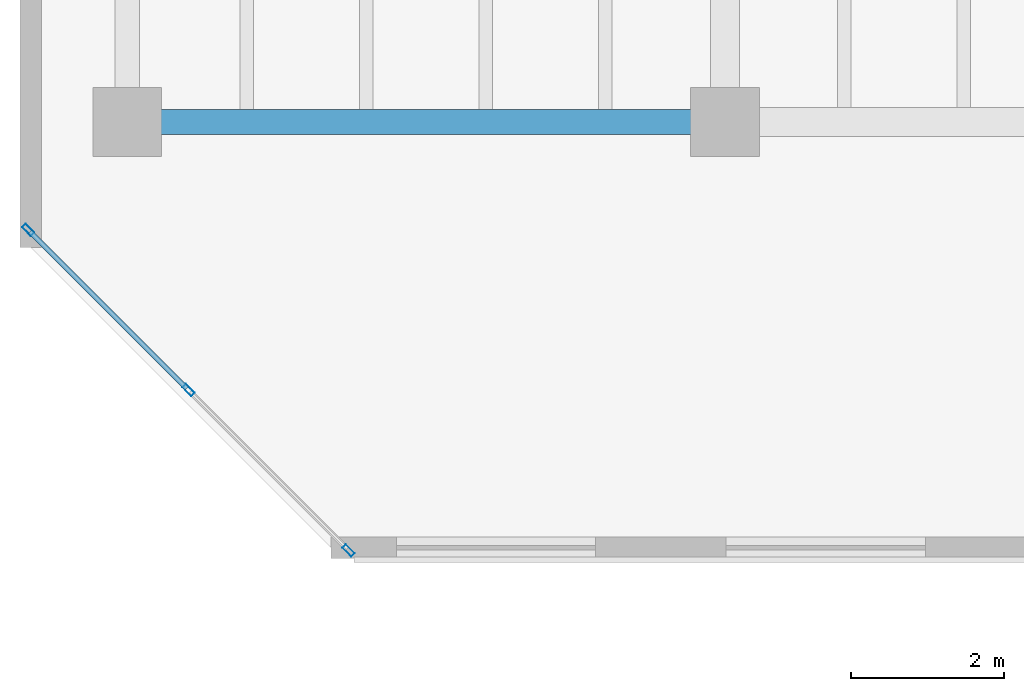
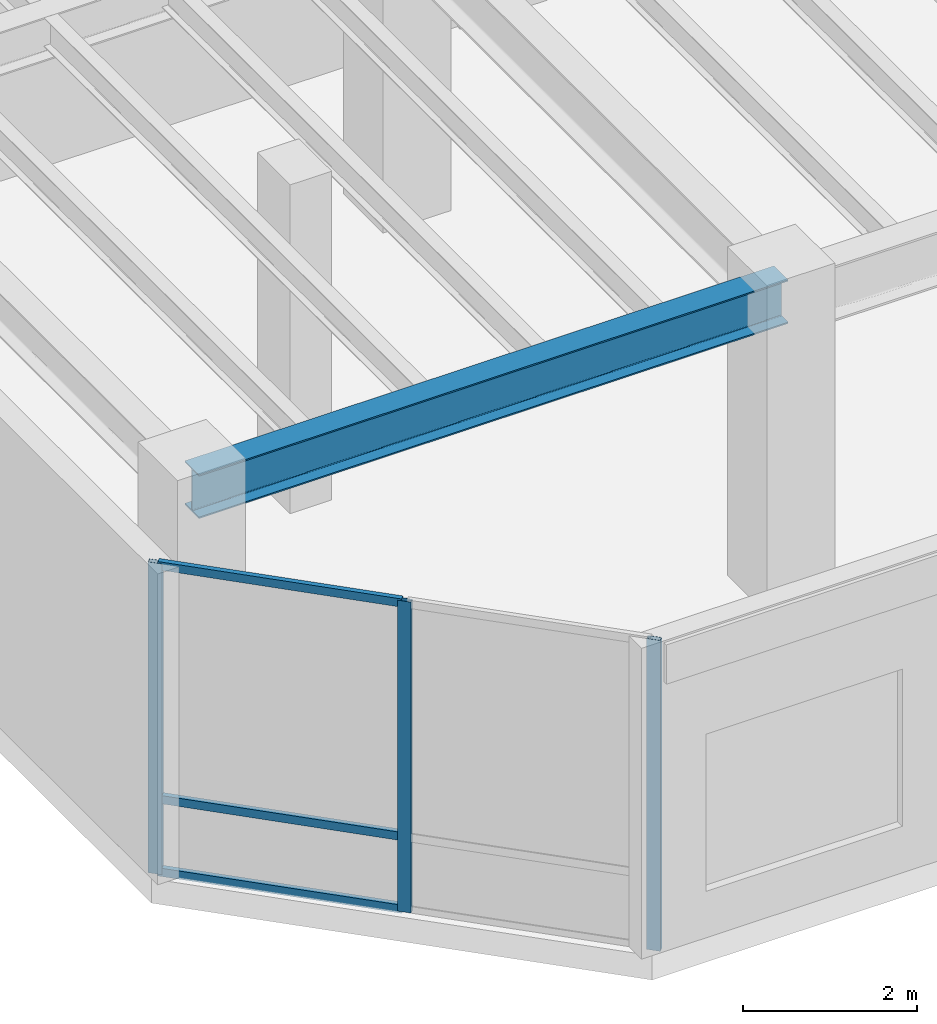
# One storey, part 2 of 20: 6 members, 1 beam, 1 element without a shape of its own.
"""IFC4 building model written with IfcOpenShell, lengths in metres."""

import ifcopenshell
import ifcopenshell.guid

model = None  # the IFC model being written
_history = None  # IfcOwnerHistory: only IFC2X3 demands one
_inside = {}  # id of a spatial element -> (the spatial element, [elements in it])
_under = {}  # id of a project, library or spatial element -> (it, [spatial elements below it])
_declared = {}  # id of a project -> (the project, [libraries it declares])
_typed = {}  # id of a type object -> (the type object, [elements of that type])
_made_of = {}  # id of a material, layer set ... -> (it, [elements and type objects made of it])


def new_model(schema):
    """Start an empty IFC model of exactly this schema.

    Asked for "IFC4X3", IfcOpenShell would pick the latest addendum, in which some entities
    have other attributes; the version numbers below select the first issue.
    IFC2X3 requires an IfcOwnerHistory on every rooted entity: one is made here for all.
    """
    global model, _history
    if schema == "IFC4X3":
        model = ifcopenshell.file(schema_version=(4, 3, 0, 0))
    else:
        model = ifcopenshell.file(schema=schema)
    _inside.clear()
    _under.clear()
    _declared.clear()
    _typed.clear()
    _made_of.clear()
    _history = None
    if model.schema == "IFC2X3":
        org = make("IfcOrganization", Name="unknown")
        user = make(
            "IfcPersonAndOrganization",
            ThePerson=make("IfcPerson", FamilyName="unknown"),
            TheOrganization=org,
        )
        app = make(
            "IfcApplication",
            ApplicationDeveloper=org,
            Version="unknown",
            ApplicationFullName="unknown",
            ApplicationIdentifier="unknown",
        )
        _history = make(
            "IfcOwnerHistory",
            OwningUser=user,
            OwningApplication=app,
            ChangeAction="ADDED",
            CreationDate=0,
        )
    return model


def make(cls, **values):
    """One entity of the class cls with the attributes given. An attribute that is None is left unset."""
    return model.create_entity(
        cls, **{name: value for name, value in values.items() if value is not None}
    )


def rooted(cls, **values):
    """An entity with a GlobalId (a new one), such as an element, a storey or a relation."""
    return make(cls, GlobalId=ifcopenshell.guid.new(), OwnerHistory=_history, **values)


def si_unit(unit_type, name, prefix=None):
    """IfcSIUnit, for example si_unit("LENGTHUNIT", "METRE", prefix="MILLI")."""
    return make("IfcSIUnit", UnitType=unit_type, Prefix=prefix, Name=name)


def assignment(units):
    """IfcUnitAssignment: the units of a project."""
    return None if units is None else make("IfcUnitAssignment", Units=units)


def point(xyz):
    """IfcCartesianPoint."""
    return None if xyz is None else make("IfcCartesianPoint", Coordinates=xyz)


def direction(xyz):
    """IfcDirection."""
    return None if xyz is None else make("IfcDirection", DirectionRatios=xyz)


def frame(location, z_axis=None, x_axis=None):
    """IfcAxis2Placement3D, a coordinate frame: its origin and axes. An axis left out is left unset."""
    return make(
        "IfcAxis2Placement3D",
        Location=point(location),
        Axis=direction(z_axis),
        RefDirection=direction(x_axis),
    )


def frame_2d(location, x_axis=None):
    """IfcAxis2Placement2D, a coordinate frame in the plane: its origin and x axis."""
    return make(
        "IfcAxis2Placement2D", Location=point(location), RefDirection=direction(x_axis)
    )


def origin():
    """The frame at (0, 0, 0) with its axes left unset."""
    return frame((0.0, 0.0, 0.0))


def origin_2d():
    """The frame at (0, 0) in the plane with its x axis left unset."""
    return frame_2d((0.0, 0.0))


def place(relative_to, where):
    """IfcLocalPlacement: puts the frame where relative to a parent placement (None: the world)."""
    return make(
        "IfcLocalPlacement", PlacementRelTo=relative_to, RelativePlacement=where
    )


def context(
    kind, dimensions, precision=None, world=None, true_north=None, identifier=None
):
    """IfcGeometricRepresentationContext, for example the 3D "Model" context."""
    return make(
        "IfcGeometricRepresentationContext",
        ContextIdentifier=identifier,
        ContextType=kind,
        CoordinateSpaceDimension=dimensions,
        Precision=precision,
        WorldCoordinateSystem=world,
        TrueNorth=true_north,
    )


def subcontext(parent, identifier, kind, view, scale=None):
    """IfcGeometricRepresentationSubContext, for example "Body" below "Model"."""
    return make(
        "IfcGeometricRepresentationSubContext",
        ContextIdentifier=identifier,
        ContextType=kind,
        ParentContext=parent,
        TargetScale=scale,
        TargetView=view,
    )


def project(units=None, contexts=None):
    """IfcProject with its units and contexts."""
    return rooted(
        "IfcProject",
        Name="project",
        RepresentationContexts=contexts,
        UnitsInContext=assignment(units),
    )


def spatial(cls, under=None, at=None, **own):
    """A site, building, storey or space (cls), placed at a placement, below another one or the project."""
    s = rooted(cls, ObjectPlacement=at, **own)
    if under is not None:
        _under.setdefault(under.id(), (under, []))[1].append(s)
    return s


def profile(cls, at=None, kind="AREA", **sizes):
    """A parametric profile (cls). Its sizes go by their IFC names, for example OverallWidth=200.0."""
    return make(cls, ProfileType=kind, Position=at, **sizes)


def hollow_rectangle(**sizes):
    """IfcRectangleHollowProfileDef."""
    return profile("IfcRectangleHollowProfileDef", **sizes)


def i_section(**sizes):
    """IfcIShapeProfileDef."""
    return profile("IfcIShapeProfileDef", **sizes)


def extrude(swept, where, along, depth):
    """IfcExtrudedAreaSolid: the profile swept, set in the frame where, extruded along a direction by depth."""
    return make(
        "IfcExtrudedAreaSolid",
        SweptArea=swept,
        Position=where,
        ExtrudedDirection=direction(along),
        Depth=depth,
    )


def shape(context_of_items, identifier, shape_type, items):
    """IfcShapeRepresentation: the items that make up one representation, for example the "Body"."""
    return make(
        "IfcShapeRepresentation",
        ContextOfItems=context_of_items,
        RepresentationIdentifier=identifier,
        RepresentationType=shape_type,
        Items=items,
    )


def material(Name=None, Category=None):
    """IfcMaterial."""
    return make("IfcMaterial", Name=Name, Category=Category)


def layer(
    of_material, thickness, ventilated=None, Name=None, Category=None, Priority=None
):
    """IfcMaterialLayer: one layer of a wall or slab, of a material (None: an air gap)."""
    return make(
        "IfcMaterialLayer",
        Material=of_material,
        LayerThickness=thickness,
        IsVentilated=ventilated,
        Name=Name,
        Category=Category,
        Priority=Priority,
    )


def layer_set(layers, Name=None):
    """IfcMaterialLayerSet."""
    return make("IfcMaterialLayerSet", MaterialLayers=layers, LayerSetName=Name)


def material_profile(
    of_material, cross_section, Name=None, Category=None, Priority=None
):
    """IfcMaterialProfile: a cross section and its material."""
    return make(
        "IfcMaterialProfile",
        Name=Name,
        Material=of_material,
        Profile=cross_section,
        Priority=Priority,
        Category=Category,
    )


def profile_set(profiles, Name=None, composite=None):
    """IfcMaterialProfileSet."""
    return make(
        "IfcMaterialProfileSet",
        Name=Name,
        MaterialProfiles=profiles,
        CompositeProfile=composite,
    )


def made_of(thing, what):
    """Note that an element or type object is made of a material, layer set ...; save() writes the relation."""
    if what is not None:
        _made_of.setdefault(what.id(), (what, []))[1].append(thing)
    return thing


def type_object(cls, material=None, **own):
    """A type object (cls), such as IfcWallType, which elements share."""
    return made_of(rooted(cls, **own), material)


def element(
    cls,
    number,
    at=None,
    inside=None,
    cuts=None,
    type_object=None,
    material=None,
    context=None,
    identifier="Body",
    shape_type=None,
    held_by="IfcProductDefinitionShape",
    body=None,
    shapes=None,
    **own,
):
    """One element of the class cls, such as IfcWall. Its Tag is "e" and its number.

    at: its placement. inside: the storey or other place that contains it. cuts: it is an
    opening in that element (IfcRelVoidsElement). A single representation is given by context,
    identifier, shape_type and body (its items); several are given by shapes. held_by: the class
    of the entity that holds the representations. save() writes the other relations.
    """
    e = rooted(cls, Tag="e%d" % number, ObjectPlacement=at, **own)
    if body is not None:
        shapes = [shape(context, identifier, shape_type, body)]
    if shapes is not None:
        e.Representation = make(held_by, Representations=shapes)
    if inside is not None:
        _inside.setdefault(inside.id(), (inside, []))[1].append(e)
    if cuts is not None:
        rooted(
            "IfcRelVoidsElement", RelatingBuildingElement=cuts, RelatedOpeningElement=e
        )
    if type_object is not None:
        _typed.setdefault(type_object.id(), (type_object, []))[1].append(e)
    return made_of(e, material)


def aggregate(whole, parts):
    """IfcRelAggregates: a whole, such as a stair, and the parts it consists of."""
    return rooted("IfcRelAggregates", RelatingObject=whole, RelatedObjects=parts)


def save(model, path):
    """Write the relations noted so far, then the file.

    IfcRelAggregates (storeys below a building ...), IfcRelContainedInSpatialStructure (elements
    in a storey), IfcRelDefinesByType, IfcRelAssociatesMaterial and IfcRelDeclares: one each for
    every whole, place, type object, material and project.
    """
    for whole, parts in _under.values():
        aggregate(whole, parts)
    for where, things in _inside.values():
        rooted(
            "IfcRelContainedInSpatialStructure",
            RelatedElements=things,
            RelatingStructure=where,
        )
    for kind, things in _typed.values():
        rooted("IfcRelDefinesByType", RelatedObjects=things, RelatingType=kind)
    for what, things in _made_of.values():
        rooted("IfcRelAssociatesMaterial", RelatedObjects=things, RelatingMaterial=what)
    for by, libraries in _declared.values():
        rooted("IfcRelDeclares", RelatingContext=by, RelatedDefinitions=libraries)
    model.write(path)


model = new_model("IFC4")

# Units and contexts
model_context = context("Model", 3, precision=1e-05, world=origin(), true_north=direction((0.0, 1.0)))
body_context = subcontext(model_context, "Body", "Model", "MODEL_VIEW")
ifc_project = project(units=[si_unit("LENGTHUNIT", "METRE"), si_unit("AREAUNIT", "SQUARE_METRE"), si_unit("VOLUMEUNIT", "CUBIC_METRE"), si_unit("PLANEANGLEUNIT", "RADIAN"), si_unit("MASSUNIT", "GRAM", prefix="KILO")], contexts=[model_context])

# Site, building, storey
site_placement = place(None, origin())
site = spatial("IfcSite", under=ifc_project, at=site_placement, CompositionType="ELEMENT")
building_placement = place(site_placement, origin())
building = spatial("IfcBuilding", under=site, at=building_placement, Name="Kestravale Grand Hotel", CompositionType="ELEMENT")
storey_placement = place(building_placement, frame((0.0, 0.0, 231.89990234375)))
storey = spatial("IfcBuildingStorey", under=building, at=storey_placement, Name="L58", CompositionType="ELEMENT", Elevation=231.89990234375)

# Beam
ifc_material_1 = material(Name="Steel ASTM A992 Grade 50", Category="steel")
ifc_material_profile_1 = material_profile(ifc_material_1, i_section(OverallWidth=0.324951171875, OverallDepth=0.612060546875, WebThickness=0.0126953125, FlangeThickness=0.01904296875, FilletRadius=0.018798828125, at=origin_2d()))
ifc_profile_set_1 = profile_set([ifc_material_profile_1], Name="Steel ASTM A992 Grade 50")
beam_type = type_object("IfcBeamType", Name="B-FLR-W24A", PredefinedType="SPANDREL", material=ifc_profile_set_1)
beam_placement = place(storey_placement, frame((7.800048828125, 11.199951171875, 4.044189453125), z_axis=(1.0, 0.0, 0.0), x_axis=(0.0, 1.0, 0.0)))
element("IfcBeam", 1, at=beam_placement, inside=storey, type_object=beam_type, Name="L58 spandrel C:2-3", PredefinedType="SPANDREL", context=body_context, shape_type="SweptSolid", body=[
    extrude(i_section(OverallWidth=0.324951171875, OverallDepth=0.612060546875, WebThickness=0.0126953125, FlangeThickness=0.01904296875, FilletRadius=0.018798828125, at=origin_2d()), origin(), (0.0, 0.0, 1.0), 7.800048828125),
])

# Curtain wall, members
ifc_material_2 = material(Name="Thermally broken champagne-bronze aluminium and low-E glazing", Category="aluminium")
ifc_layer = layer(ifc_material_2, 0.179931640625)
ifc_layer_set = layer_set([ifc_layer], Name="CW-Z3")
curtain_wall_type = type_object("IfcCurtainWallType", Name="CW-Z3", PredefinedType="NOTDEFINED", material=ifc_layer_set)
curtain_wall_placement = place(storey_placement, origin())
curtain_wall = element("IfcCurtainWall", 2, at=curtain_wall_placement, inside=storey, type_object=curtain_wall_type, Name="L58 unitised curtain wall 20", PredefinedType="NOTDEFINED")
ifc_material_3 = material(Name="Aluminium 6063-T6 anodised", Category="aluminium")
ifc_material_profile_2 = material_profile(ifc_material_3, hollow_rectangle(XDim=0.06494140625, YDim=0.1650390625, WallThickness=0.00341796875, at=origin_2d()))
ifc_profile_set_2 = profile_set([ifc_material_profile_2], Name="Aluminium 6063-T6 anodised")
member_type_1 = type_object("IfcMemberType", Name="CW-MUL-165", PredefinedType="MULLION", material=ifc_profile_set_2)
member_1_placement = place(storey_placement, frame((6.5078125, 9.790283203125, 0.0), z_axis=(0.0, 0.0, 1.0), x_axis=(0.707106781187, 0.707106781187, 0.0)))
member_1 = element("IfcMember", 3, at=member_1_placement, type_object=member_type_1, Name="CW-Z3 mullion 1", PredefinedType="MULLION", context=body_context, shape_type="SweptSolid", body=[
    extrude(hollow_rectangle(XDim=0.06494140625, YDim=0.1650390625, WallThickness=0.00341796875, at=origin_2d()), origin(), (0.0, 0.0, 1.0), 4.35009765625),
])
member_2_placement = place(storey_placement, frame((8.59912109375, 7.698974609375, 0.0), z_axis=(0.0, 0.0, 1.0), x_axis=(0.707106781187, 0.707106781187, 0.0)))
member_2 = element("IfcMember", 4, at=member_2_placement, type_object=member_type_1, Name="CW-Z3 mullion 2", PredefinedType="MULLION", context=body_context, shape_type="SweptSolid", body=[
    extrude(hollow_rectangle(XDim=0.06494140625, YDim=0.1650390625, WallThickness=0.00341796875, at=origin_2d()), origin(), (0.0, 0.0, 1.0), 4.35009765625),
])
member_3_placement = place(storey_placement, frame((10.690185546875, 5.607666015625, 0.0), z_axis=(0.0, 0.0, 1.0), x_axis=(0.707106781187, 0.707106781187, 0.0)))
member_3 = element("IfcMember", 5, at=member_3_placement, type_object=member_type_1, Name="CW-Z3 mullion 3", PredefinedType="MULLION", context=body_context, shape_type="SweptSolid", body=[
    extrude(hollow_rectangle(XDim=0.06494140625, YDim=0.1650390625, WallThickness=0.00341796875, at=origin_2d()), origin(), (0.0, 0.0, 1.0), 4.35009765625),
])
ifc_material_4 = material(Name="Aluminium 6063-T6 anodised", Category="aluminium")
ifc_material_profile_3 = material_profile(ifc_material_4, hollow_rectangle(XDim=0.06494140625, YDim=0.114990234375, WallThickness=0.003173828125, at=origin_2d()))
ifc_profile_set_3 = profile_set([ifc_material_profile_3], Name="Aluminium 6063-T6 anodised")
member_type_2 = type_object("IfcMemberType", Name="CW-TRN-115", PredefinedType="USERDEFINED", material=ifc_profile_set_3)
member_4_placement = place(storey_placement, frame((6.53076171875, 9.767333984375, 0.03271484375), z_axis=(0.707064577195, -0.707148982659, 0.0), x_axis=(0.707148982659, 0.707064577195, 0.0)))
member_4 = element("IfcMember", 6, at=member_4_placement, type_object=member_type_2, Name="CW-Z3 transom 1.1", ObjectType="TRANSOM", PredefinedType="USERDEFINED", context=body_context, shape_type="SweptSolid", body=[
    extrude(hollow_rectangle(XDim=0.06494140625, YDim=0.114990234375, WallThickness=0.003173828125, at=origin_2d()), origin(), (0.0, 0.0, 1.0), 2.892578125),
])
member_5_placement = place(storey_placement, frame((6.53076171875, 9.767333984375, 1.050048828125), z_axis=(0.707064577195, -0.707148982659, 0.0), x_axis=(0.707148982659, 0.707064577195, 0.0)))
member_5 = element("IfcMember", 7, at=member_5_placement, type_object=member_type_2, Name="CW-Z3 transom 1.2", ObjectType="TRANSOM", PredefinedType="USERDEFINED", context=body_context, shape_type="SweptSolid", body=[
    extrude(hollow_rectangle(XDim=0.06494140625, YDim=0.114990234375, WallThickness=0.003173828125, at=origin_2d()), origin(), (0.0, 0.0, 1.0), 2.892578125),
])
member_6_placement = place(storey_placement, frame((6.53076171875, 9.767333984375, 4.317626953125), z_axis=(0.707064577195, -0.707148982659, 0.0), x_axis=(0.707148982659, 0.707064577195, 0.0)))
member_6 = element("IfcMember", 8, at=member_6_placement, type_object=member_type_2, Name="CW-Z3 transom 1.3", ObjectType="TRANSOM", PredefinedType="USERDEFINED", context=body_context, shape_type="SweptSolid", body=[
    extrude(hollow_rectangle(XDim=0.06494140625, YDim=0.114990234375, WallThickness=0.003173828125, at=origin_2d()), origin(), (0.0, 0.0, 1.0), 2.892578125),
])
aggregate(curtain_wall, [member_1, member_2, member_3, member_4, member_5, member_6])

save(model, "model.ifc")
